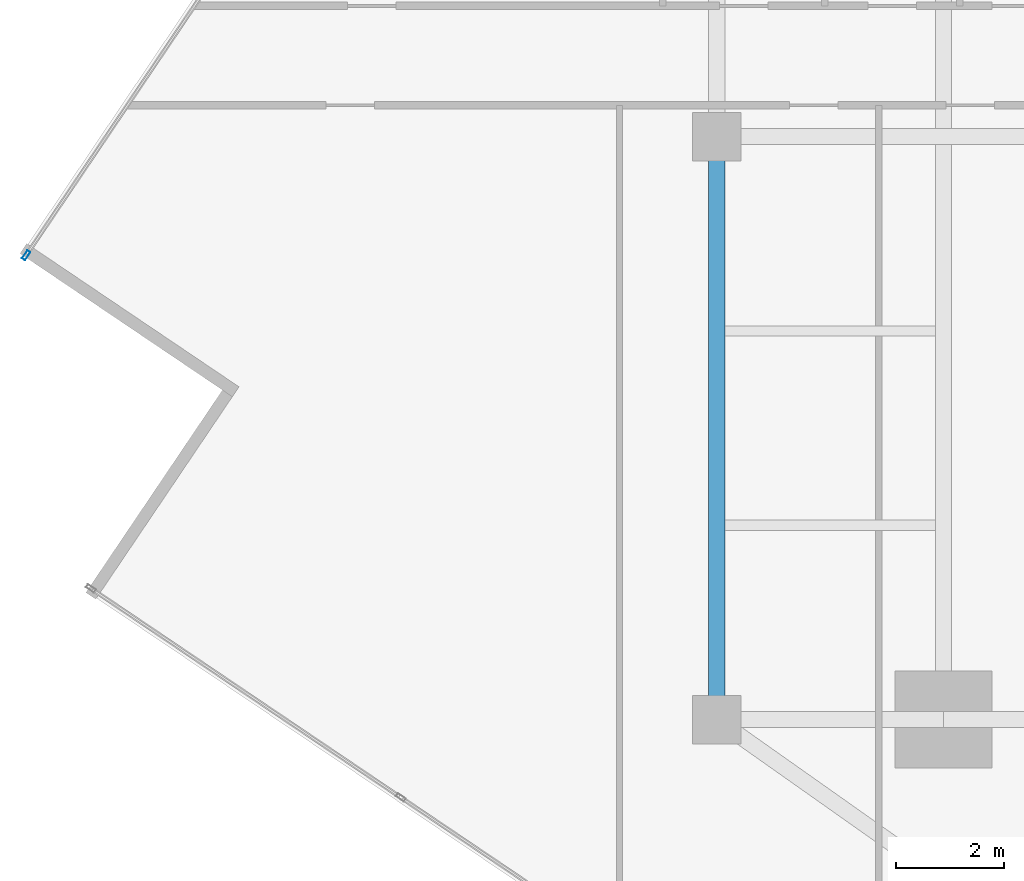
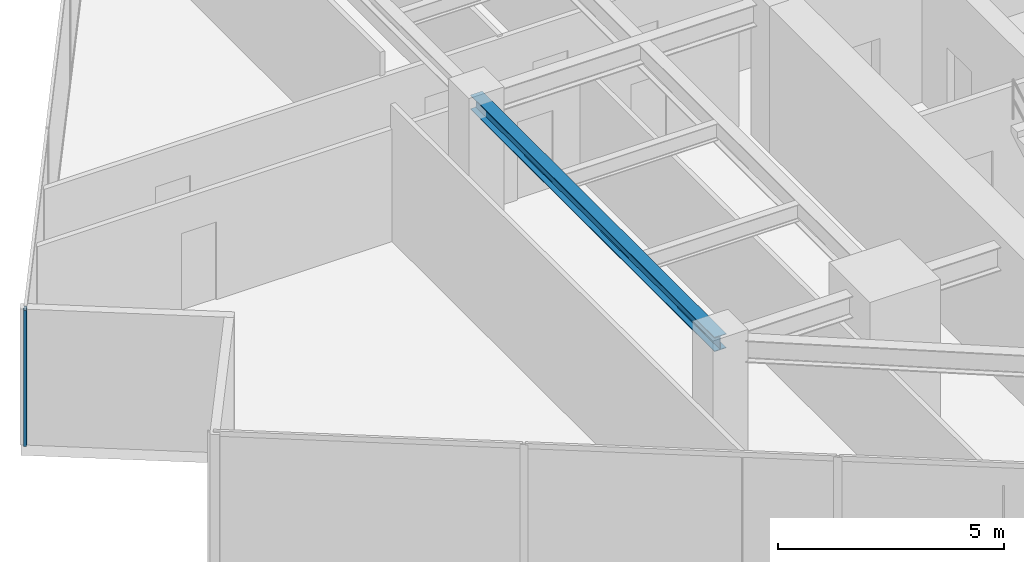
# One storey, part 6 of 27: 1 beam, 1 member, 1 element without a shape of its own.
"""IFC4 building model written with IfcOpenShell, lengths in metres."""

from ifc_helpers import new_model, si_unit, direction, frame, origin, origin_2d, place, context, subcontext, project, spatial, hollow_rectangle, i_section, extrude, source, transform, mapped, material, material_profile, profile_set, type_object, type_shapes, element, aggregate, save


model = new_model("IFC4")

# Units and contexts
model_context = context("Model", 3, precision=1e-05, world=origin(), true_north=direction((0.0, 1.0)))
body_context = subcontext(model_context, "Body", "Model", "MODEL_VIEW")
ifc_project = project(units=[si_unit("LENGTHUNIT", "METRE"), si_unit("AREAUNIT", "SQUARE_METRE"), si_unit("VOLUMEUNIT", "CUBIC_METRE"), si_unit("PLANEANGLEUNIT", "RADIAN"), si_unit("MASSUNIT", "GRAM", prefix="KILO")], contexts=[model_context])

# Site, building, storey
site_placement = place(None, origin())
site = spatial("IfcSite", under=ifc_project, at=site_placement, CompositionType="ELEMENT")
building_placement = place(site_placement, origin())
building = spatial("IfcBuilding", under=site, at=building_placement, Name="Krantzveldt Concourse Tower", CompositionType="ELEMENT")
storey_placement = place(building_placement, frame((0.0, 0.0, 189.64990234375)))
storey = spatial("IfcBuildingStorey", under=building, at=storey_placement, Name="L46", CompositionType="ELEMENT", Elevation=189.64990234375)

# Beam
ifc_material_1 = material(Name="Steel S355JR", Category="steel")
ifc_material_profile_1 = material_profile(ifc_material_1, i_section(OverallWidth=0.300048828125, OverallDepth=0.389892578125, WebThickness=0.010986328125, FlangeThickness=0.01904296875, FilletRadius=0.027099609375, at=origin_2d()), Name="Steel S355JR", Category="steel")
ifc_profile_set_1 = profile_set([ifc_material_profile_1], Name="Steel S355JR - HEA 400")
beam_type = type_object("IfcBeamType", Name="BM-SP-HEA400", PredefinedType="SPANDREL", material=ifc_profile_set_1)
shared_shape_1 = source(origin(), body_context, "Body", "SweptSolid", [
    extrude(i_section(OverallWidth=0.300048828125, OverallDepth=0.389892578125, WebThickness=0.010986328125, FlangeThickness=0.01904296875, FilletRadius=0.027099609375, at=origin_2d()), origin(), (0.0, 0.0, 1.0), 10.800048828125),
])
type_shapes(beam_type, [shared_shape_1])
beam_placement = place(storey_placement, frame((21.0, 15.89990234375, 3.47509765625), z_axis=(0.0, 1.0, 0.0), x_axis=(-1.0, 0.0, 0.0)))
element("IfcBeam", 1, at=beam_placement, inside=storey, type_object=beam_type, Name="L46 Tower Girder SP-R01", PredefinedType="SPANDREL", context=body_context, shape_type="MappedRepresentation", body=[
    mapped(shared_shape_1, transform((0.0, 0.0, 0.0), x_axis=(1.0, 0.0, 0.0), y_axis=(0.0, 1.0, 0.0), z_axis=(0.0, 0.0, 1.0), scale=1.0)),
])

# Curtain wall, member
ifc_material_2 = material(Name="Anodised aluminium 6063-T6", Category="aluminium")
curtain_wall_type = type_object("IfcCurtainWallType", Name="CW3", PredefinedType="USERDEFINED", material=ifc_material_2)
curtain_wall_placement = place(storey_placement, origin())
curtain_wall = element("IfcCurtainWall", 2, at=curtain_wall_placement, inside=storey, type_object=curtain_wall_type, Name="CW-L46-F01", ObjectType="UNITISED CURTAIN WALL", PredefinedType="USERDEFINED")
ifc_material_profile_2 = material_profile(ifc_material_2, hollow_rectangle(XDim=0.070068359375, YDim=0.179931640625, WallThickness=0.0048828125, at=origin_2d()), Name="Anodised aluminium 6063-T6", Category="aluminium")
ifc_profile_set_2 = profile_set([ifc_material_profile_2], Name="Anodised aluminium 6063-T6 - ALU-MULL 180x70x5")
member_type = type_object("IfcMemberType", Name="CW-MUL-180", PredefinedType="MULLION", material=ifc_profile_set_2)
shared_shape_2 = source(origin(), body_context, "Body", "SweptSolid", [
    extrude(hollow_rectangle(XDim=0.070068359375, YDim=0.179931640625, WallThickness=0.0048828125, at=origin_2d()), origin(), (0.0, 0.0, 1.0), 3.670166015625),
])
type_shapes(member_type, [shared_shape_2])
member_placement = place(storey_placement, frame((8.208251953125, 24.499755859375, 0.0), z_axis=(0.0, 0.0, 1.0), x_axis=(0.829037635301, -0.559192810447, 0.0)))
member = element("IfcMember", 3, at=member_placement, type_object=member_type, Name="CW-Z34 mullion 6", PredefinedType="MULLION", context=body_context, shape_type="MappedRepresentation", body=[
    mapped(shared_shape_2, transform((0.0, 0.0, 0.0), x_axis=(1.0, 0.0, 0.0), y_axis=(0.0, 1.0, 0.0), z_axis=(0.0, 0.0, 1.0), scale=1.0)),
])
aggregate(curtain_wall, [member])

save(model, "model.ifc")
